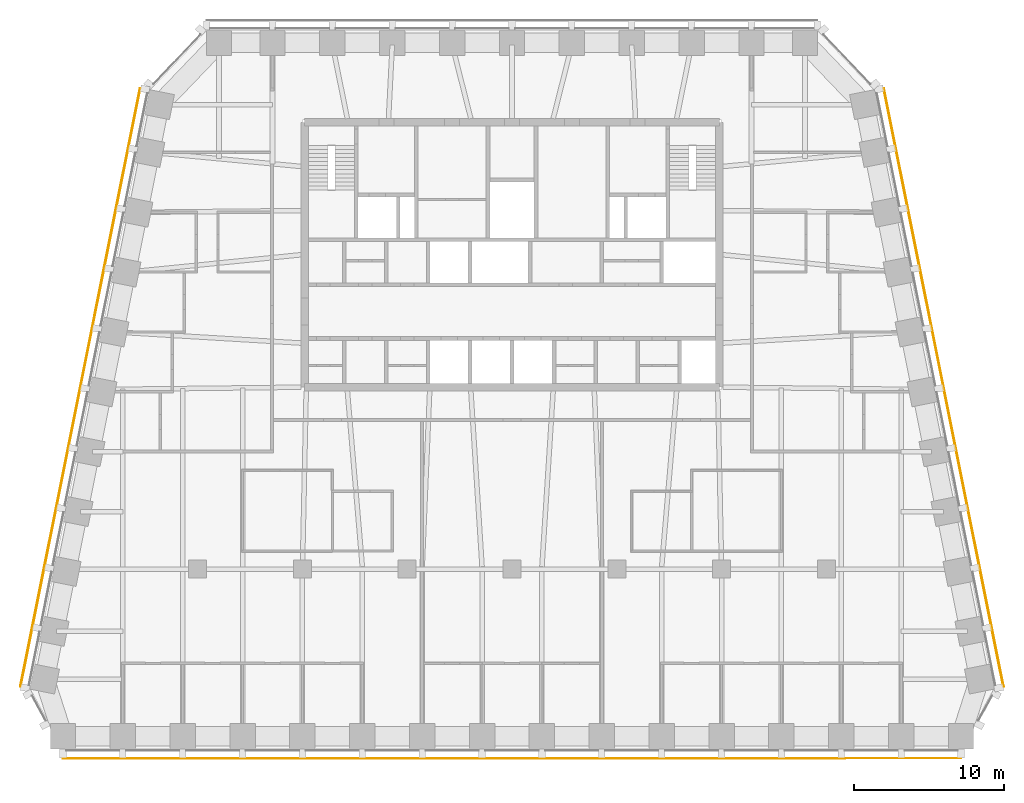
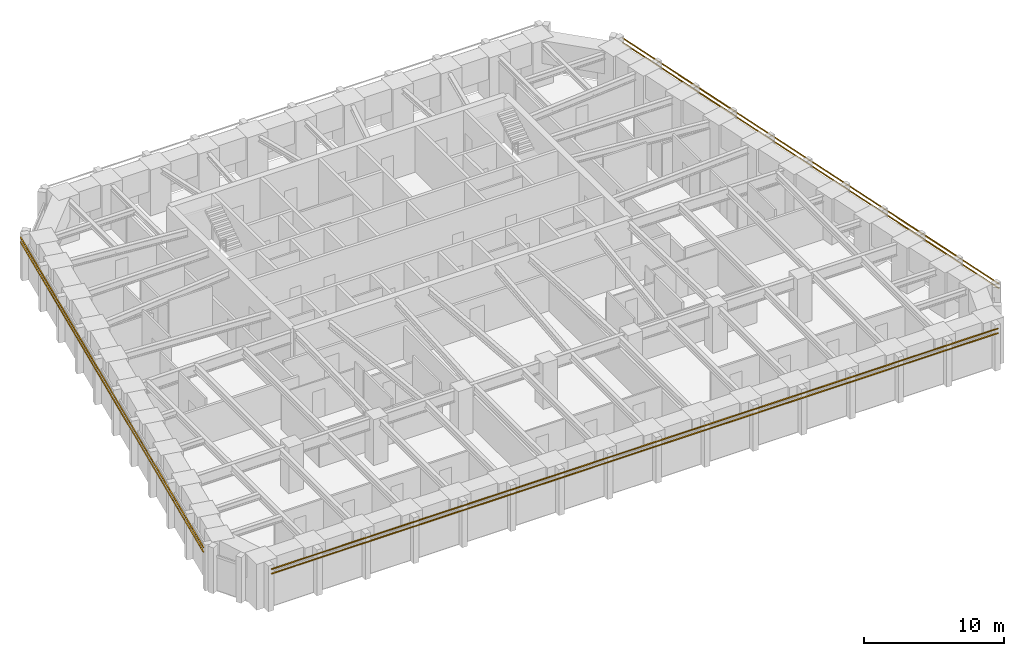
# One storey, part 10 of 11: 6 shading devices.
"""IFC4 building model written with IfcOpenShell, lengths in metres."""

from ifc_helpers import new_model, si_unit, direction, frame, origin, origin_2d, place, context, subcontext, project, spatial, rectangle, extrude, material, material_profile, profile_set, type_object, element, save


model = new_model("IFC4")

# Units and contexts
model_context = context("Model", 3, precision=1e-05, world=origin(), true_north=direction((0.0, 1.0)))
body_context = subcontext(model_context, "Body", "Model", "MODEL_VIEW")
ifc_project = project(units=[si_unit("LENGTHUNIT", "METRE"), si_unit("AREAUNIT", "SQUARE_METRE"), si_unit("VOLUMEUNIT", "CUBIC_METRE"), si_unit("PLANEANGLEUNIT", "RADIAN"), si_unit("MASSUNIT", "GRAM", prefix="KILO")], contexts=[model_context])

# Site, building, storey
site_placement = place(None, origin())
site = spatial("IfcSite", under=ifc_project, at=site_placement, CompositionType="ELEMENT")
building_placement = place(site_placement, origin())
building = spatial("IfcBuilding", under=site, at=building_placement, Name="Isbrekke Arena Tower", CompositionType="ELEMENT")
storey_placement = place(building_placement, frame((0.0, 0.0, 252.0)))
storey = spatial("IfcBuildingStorey", under=building, at=storey_placement, Name="L58", CompositionType="ELEMENT", Elevation=252.0)

# Shading devices
ifc_material = material(Name="Terracotta", Category="masonry")
ifc_material_profile = material_profile(ifc_material, rectangle(XDim=0.06005859375, YDim=0.06005859375, at=origin_2d()), Name="BAGUETTE 60X60")
ifc_profile_set = profile_set([ifc_material_profile], Name="Terracotta")
shading_device_type = type_object("IfcShadingDeviceType", Name="BG1 TERRACOTTA BAGUETTE 60 x 60", PredefinedType="USERDEFINED", material=ifc_profile_set)
for number, where, z_axis, x_axis, name in (
    (1, (-30.0, -18.655029296875, 3.280029296875), (1.0, 0.0, 0.0), (0.0, 1.0, 0.0), "BG1 terracotta baguette S1 L58"),
    (2, (-30.0, -18.655029296875, 3.679931640625), (1.0, 0.0, 0.0), (0.0, 1.0, 0.0), "BG1 terracotta baguette S2 L58"),
):
    element("IfcShadingDevice", number, at=place(storey_placement, frame(where, z_axis=z_axis, x_axis=x_axis)), inside=storey, type_object=shading_device_type, Name=name, ObjectType="TERRACOTTA BAGUETTE", PredefinedType="USERDEFINED", context=body_context, shape_type="SweptSolid", body=[
        extrude(rectangle(XDim=0.06005859375, YDim=0.06005859375, at=origin_2d()), origin(), (0.0, 0.0, 1.0), 60.0),
    ])
for number, where, z_axis, x_axis, name in (
    (3, (32.84228515625, -13.87158203125, 3.280029296875), (-0.196116135138, 0.980580675691, 0.0), (-0.980580675691, -0.196116135138, 0.0), "BG1 terracotta baguette E1 L58"),
    (4, (32.84228515625, -13.87158203125, 3.679931640625), (-0.196116135138, 0.980580675691, 0.0), (-0.980580675691, -0.196116135138, 0.0), "BG1 terracotta baguette E2 L58"),
    (5, (-24.84228515625, 26.12841796875, 3.280029296875), (-0.196116135138, -0.980580675691, 0.0), (0.980580675691, -0.196116135138, 0.0), "BG1 terracotta baguette W1 L58"),
    (6, (-24.84228515625, 26.12841796875, 3.679931640625), (-0.196116135138, -0.980580675691, 0.0), (0.980580675691, -0.196116135138, 0.0), "BG1 terracotta baguette W2 L58"),
):
    element("IfcShadingDevice", number, at=place(storey_placement, frame(where, z_axis=z_axis, x_axis=x_axis)), inside=storey, type_object=shading_device_type, Name=name, ObjectType="TERRACOTTA BAGUETTE", PredefinedType="USERDEFINED", context=body_context, shape_type="SweptSolid", body=[
        extrude(rectangle(XDim=0.06005859375, YDim=0.06005859375, at=origin_2d()), origin(), (0.0, 0.0, 1.0), 40.792236328125),
    ])

save(model, "model.ifc")
